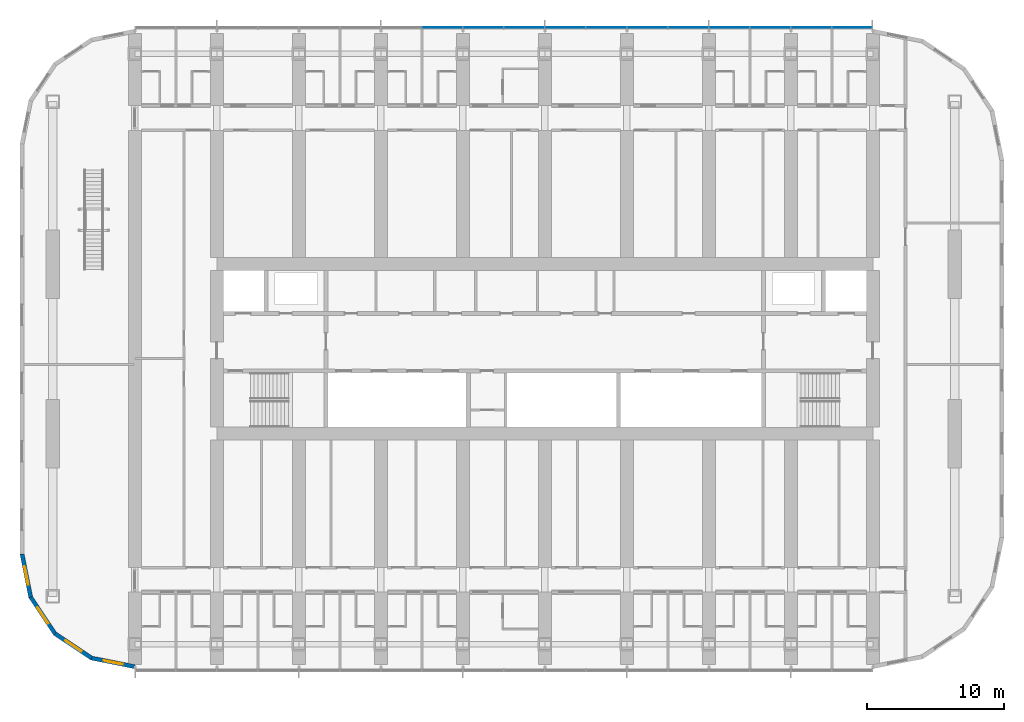
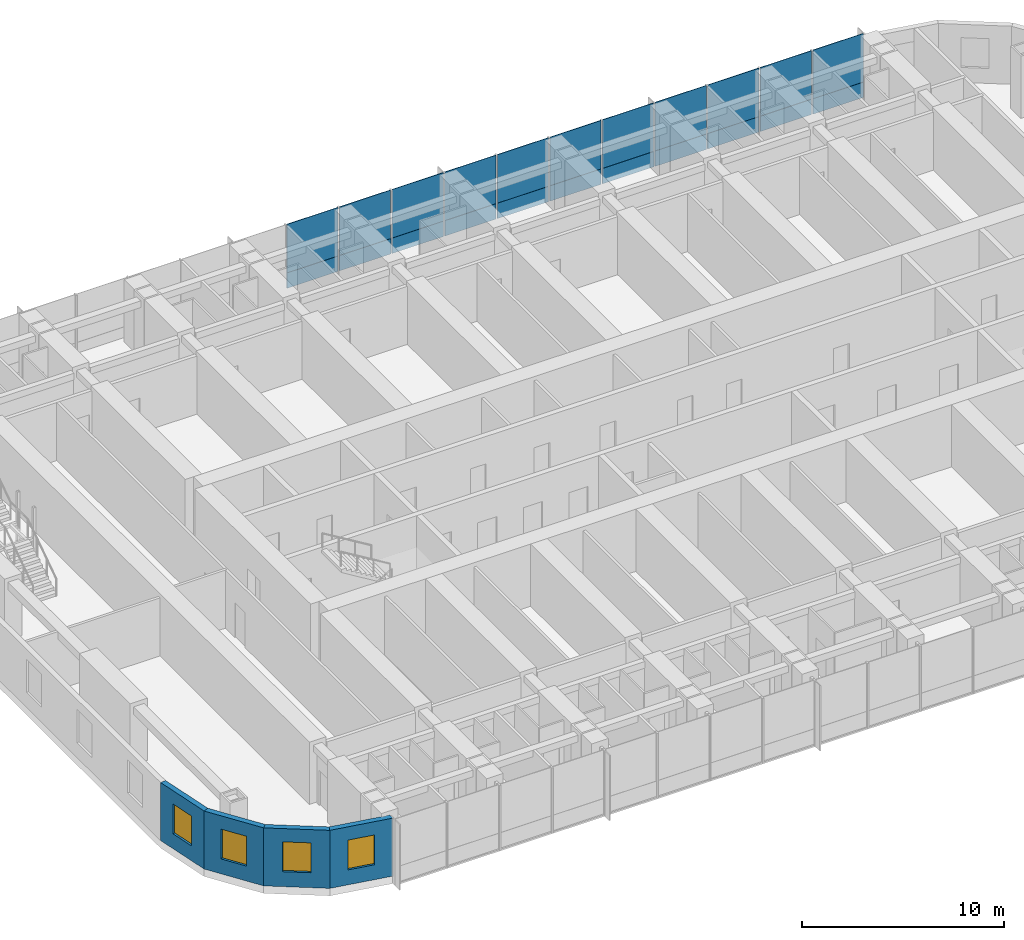
# One storey, part 9 of 25: 22 plates, 4 walls, 4 windows, 4 openings, 1 element without a shape of its own.
"""IFC4 building model written with IfcOpenShell, lengths in metres."""

from ifc_helpers import new_model, si_unit, direction, frame, frame_2d, origin, origin_2d, place, context, subcontext, project, spatial, polyline, rectangle, outline, extrude, material, layer, layer_set, type_object, element, fill, aggregate, save


model = new_model("IFC4")

# Units and contexts
model_context = context("Model", 3, precision=1e-05, world=origin(), true_north=direction((0.0, 1.0)))
body_context = subcontext(model_context, "Body", "Model", "MODEL_VIEW")
ifc_project = project(units=[si_unit("LENGTHUNIT", "METRE"), si_unit("AREAUNIT", "SQUARE_METRE"), si_unit("VOLUMEUNIT", "CUBIC_METRE"), si_unit("PLANEANGLEUNIT", "RADIAN"), si_unit("MASSUNIT", "GRAM", prefix="KILO")], contexts=[model_context])

# Site, building, storey
site_placement = place(None, origin())
site = spatial("IfcSite", under=ifc_project, at=site_placement, CompositionType="ELEMENT")
building_placement = place(site_placement, origin())
building = spatial("IfcBuilding", under=site, at=building_placement, Name="Orbita Commons", CompositionType="ELEMENT")
storey_placement = place(building_placement, frame((0.0, 0.0, 84.39990234375)))
storey = spatial("IfcBuildingStorey", under=building, at=storey_placement, Name="L20", CompositionType="ELEMENT", Elevation=84.39990234375)

# Curtain wall, plates
ifc_material_1 = material(Name="Anodised aluminium frame, pale silver", Category="aluminium")
curtain_wall_type = type_object("IfcCurtainWallType", Name="Unitised curtain wall CW-T, vision and spandrel", PredefinedType="NOTDEFINED", material=ifc_material_1)
curtain_wall_placement = place(storey_placement, origin())
curtain_wall = element("IfcCurtainWall", 1, at=curtain_wall_placement, inside=storey, type_object=curtain_wall_type, Name="Curtain wall north L20", PredefinedType="NOTDEFINED")
ifc_material_2 = material(Name="Anodised aluminium sheet on mineral wool", Category="aluminium")
ifc_layer_1 = layer(ifc_material_2, 0.050048828125)
ifc_layer_set_1 = layer_set([ifc_layer_1], Name="Anodised aluminium sheet on mineral wool")
plate_type_1 = type_object("IfcPlateType", Name="Spandrel panel, pale aluminium over insulation 50", PredefinedType="CURTAIN_PANEL", material=ifc_layer_set_1)
plate_1_placement = place(storey_placement, frame((64.47998046875, 55.510009765625, -0.35009765625), z_axis=(0.0, 0.0, 1.0), x_axis=(-1.0, 0.0, 0.0)))
plate_1 = element("IfcPlate", 2, at=plate_1_placement, type_object=plate_type_1, Name="Panel 1.1 CW-L20-N", PredefinedType="CURTAIN_PANEL", context=body_context, shape_type="SweptSolid", body=[
    extrude(rectangle(XDim=2.8798828125, YDim=0.050048828125, at=origin_2d()), origin(), (0.0, 0.0, 1.0), 0.927001953125),
])
plate_2_placement = place(storey_placement, frame((61.5, 55.510009765625, -0.35009765625), z_axis=(0.0, 0.0, 1.0), x_axis=(-1.0, 0.0, 0.0)))
plate_2 = element("IfcPlate", 3, at=plate_2_placement, type_object=plate_type_1, Name="Panel 2.1 CW-L20-N", PredefinedType="CURTAIN_PANEL", context=body_context, shape_type="SweptSolid", body=[
    extrude(rectangle(XDim=2.919921875, YDim=0.050048828125, at=origin_2d()), origin(), (0.0, 0.0, 1.0), 0.927001953125),
])
plate_3_placement = place(storey_placement, frame((58.5, 55.510009765625, -0.35009765625), z_axis=(0.0, 0.0, 1.0), x_axis=(-1.0, 0.0, 0.0)))
plate_3 = element("IfcPlate", 4, at=plate_3_placement, type_object=plate_type_1, Name="Panel 3.1 CW-L20-N", PredefinedType="CURTAIN_PANEL", context=body_context, shape_type="SweptSolid", body=[
    extrude(rectangle(XDim=2.919921875, YDim=0.050048828125, at=origin_2d()), origin(), (0.0, 0.0, 1.0), 0.927001953125),
])
plate_4_placement = place(storey_placement, frame((55.5, 55.510009765625, -0.35009765625), z_axis=(0.0, 0.0, 1.0), x_axis=(-1.0, 0.0, 0.0)))
plate_4 = element("IfcPlate", 5, at=plate_4_placement, type_object=plate_type_1, Name="Panel 4.1 CW-L20-N", PredefinedType="CURTAIN_PANEL", context=body_context, shape_type="SweptSolid", body=[
    extrude(rectangle(XDim=2.919921875, YDim=0.050048828125, at=origin_2d()), origin(), (0.0, 0.0, 1.0), 0.927001953125),
])
plate_5_placement = place(storey_placement, frame((52.5, 55.510009765625, -0.35009765625), z_axis=(0.0, 0.0, 1.0), x_axis=(-1.0, 0.0, 0.0)))
plate_5 = element("IfcPlate", 6, at=plate_5_placement, type_object=plate_type_1, Name="Panel 5.1 CW-L20-N", PredefinedType="CURTAIN_PANEL", context=body_context, shape_type="SweptSolid", body=[
    extrude(rectangle(XDim=2.919921875, YDim=0.050048828125, at=origin_2d()), origin(), (0.0, 0.0, 1.0), 0.927001953125),
])
plate_6_placement = place(storey_placement, frame((49.5, 55.510009765625, -0.35009765625), z_axis=(0.0, 0.0, 1.0), x_axis=(-1.0, 0.0, 0.0)))
plate_6 = element("IfcPlate", 7, at=plate_6_placement, type_object=plate_type_1, Name="Panel 6.1 CW-L20-N", PredefinedType="CURTAIN_PANEL", context=body_context, shape_type="SweptSolid", body=[
    extrude(rectangle(XDim=2.919921875, YDim=0.050048828125, at=origin_2d()), origin(), (0.0, 0.0, 1.0), 0.927001953125),
])
plate_7_placement = place(storey_placement, frame((46.5, 55.510009765625, -0.35009765625), z_axis=(0.0, 0.0, 1.0), x_axis=(-1.0, 0.0, 0.0)))
plate_7 = element("IfcPlate", 8, at=plate_7_placement, type_object=plate_type_1, Name="Panel 7.1 CW-L20-N", PredefinedType="CURTAIN_PANEL", context=body_context, shape_type="SweptSolid", body=[
    extrude(rectangle(XDim=2.919921875, YDim=0.050048828125, at=origin_2d()), origin(), (0.0, 0.0, 1.0), 0.927001953125),
])
plate_8_placement = place(storey_placement, frame((43.5, 55.510009765625, -0.35009765625), z_axis=(0.0, 0.0, 1.0), x_axis=(-1.0, 0.0, 0.0)))
plate_8 = element("IfcPlate", 9, at=plate_8_placement, type_object=plate_type_1, Name="Panel 8.1 CW-L20-N", PredefinedType="CURTAIN_PANEL", context=body_context, shape_type="SweptSolid", body=[
    extrude(rectangle(XDim=2.919921875, YDim=0.050048828125, at=origin_2d()), origin(), (0.0, 0.0, 1.0), 0.927001953125),
])
plate_9_placement = place(storey_placement, frame((40.5, 55.510009765625, -0.35009765625), z_axis=(0.0, 0.0, 1.0), x_axis=(-1.0, 0.0, 0.0)))
plate_9 = element("IfcPlate", 10, at=plate_9_placement, type_object=plate_type_1, Name="Panel 9.1 CW-L20-N", PredefinedType="CURTAIN_PANEL", context=body_context, shape_type="SweptSolid", body=[
    extrude(rectangle(XDim=2.919921875, YDim=0.050048828125, at=origin_2d()), origin(), (0.0, 0.0, 1.0), 0.927001953125),
])
plate_10_placement = place(storey_placement, frame((37.5, 55.510009765625, -0.35009765625), z_axis=(0.0, 0.0, 1.0), x_axis=(-1.0, 0.0, 0.0)))
plate_10 = element("IfcPlate", 11, at=plate_10_placement, type_object=plate_type_1, Name="Panel 10.1 CW-L20-N", PredefinedType="CURTAIN_PANEL", context=body_context, shape_type="SweptSolid", body=[
    extrude(rectangle(XDim=2.919921875, YDim=0.050048828125, at=origin_2d()), origin(), (0.0, 0.0, 1.0), 0.927001953125),
])
plate_11_placement = place(storey_placement, frame((34.5, 55.510009765625, -0.35009765625), z_axis=(0.0, 0.0, 1.0), x_axis=(-1.0, 0.0, 0.0)))
plate_11 = element("IfcPlate", 12, at=plate_11_placement, type_object=plate_type_1, Name="Panel 11.1 CW-L20-N", PredefinedType="CURTAIN_PANEL", context=body_context, shape_type="SweptSolid", body=[
    extrude(rectangle(XDim=2.919921875, YDim=0.050048828125, at=origin_2d()), origin(), (0.0, 0.0, 1.0), 0.927001953125),
])
ifc_material_3 = material(Name="Clear double glazing", Category="glass")
ifc_layer_2 = layer(ifc_material_3, 0.031982421875)
ifc_layer_set_2 = layer_set([ifc_layer_2], Name="Clear double glazing")
plate_type_2 = type_object("IfcPlateType", Name="Vision panel, clear double glazing 32", PredefinedType="CURTAIN_PANEL", material=ifc_layer_set_2)
plate_12_placement = place(storey_placement, frame((64.47998046875, 55.510009765625, 0.5771484375), z_axis=(0.0, 0.0, 1.0), x_axis=(-1.0, 0.0, 0.0)))
plate_12 = element("IfcPlate", 13, at=plate_12_placement, type_object=plate_type_2, Name="Panel 1.2 CW-L20-N", PredefinedType="CURTAIN_PANEL", context=body_context, shape_type="SweptSolid", body=[
    extrude(rectangle(XDim=2.8798828125, YDim=0.031982421875, at=origin_2d()), origin(), (0.0, 0.0, 1.0), 2.923095703125),
])
plate_13_placement = place(storey_placement, frame((61.5, 55.510009765625, 0.5771484375), z_axis=(0.0, 0.0, 1.0), x_axis=(-1.0, 0.0, 0.0)))
plate_13 = element("IfcPlate", 14, at=plate_13_placement, type_object=plate_type_2, Name="Panel 2.2 CW-L20-N", PredefinedType="CURTAIN_PANEL", context=body_context, shape_type="SweptSolid", body=[
    extrude(rectangle(XDim=2.919921875, YDim=0.031982421875, at=origin_2d()), origin(), (0.0, 0.0, 1.0), 2.923095703125),
])
plate_14_placement = place(storey_placement, frame((58.5, 55.510009765625, 0.5771484375), z_axis=(0.0, 0.0, 1.0), x_axis=(-1.0, 0.0, 0.0)))
plate_14 = element("IfcPlate", 15, at=plate_14_placement, type_object=plate_type_2, Name="Panel 3.2 CW-L20-N", PredefinedType="CURTAIN_PANEL", context=body_context, shape_type="SweptSolid", body=[
    extrude(rectangle(XDim=2.919921875, YDim=0.031982421875, at=origin_2d()), origin(), (0.0, 0.0, 1.0), 2.923095703125),
])
plate_15_placement = place(storey_placement, frame((55.5, 55.510009765625, 0.5771484375), z_axis=(0.0, 0.0, 1.0), x_axis=(-1.0, 0.0, 0.0)))
plate_15 = element("IfcPlate", 16, at=plate_15_placement, type_object=plate_type_2, Name="Panel 4.2 CW-L20-N", PredefinedType="CURTAIN_PANEL", context=body_context, shape_type="SweptSolid", body=[
    extrude(rectangle(XDim=2.919921875, YDim=0.031982421875, at=origin_2d()), origin(), (0.0, 0.0, 1.0), 2.923095703125),
])
plate_16_placement = place(storey_placement, frame((52.5, 55.510009765625, 0.5771484375), z_axis=(0.0, 0.0, 1.0), x_axis=(-1.0, 0.0, 0.0)))
plate_16 = element("IfcPlate", 17, at=plate_16_placement, type_object=plate_type_2, Name="Panel 5.2 CW-L20-N", PredefinedType="CURTAIN_PANEL", context=body_context, shape_type="SweptSolid", body=[
    extrude(rectangle(XDim=2.919921875, YDim=0.031982421875, at=origin_2d()), origin(), (0.0, 0.0, 1.0), 2.923095703125),
])
plate_17_placement = place(storey_placement, frame((49.5, 55.510009765625, 0.5771484375), z_axis=(0.0, 0.0, 1.0), x_axis=(-1.0, 0.0, 0.0)))
plate_17 = element("IfcPlate", 18, at=plate_17_placement, type_object=plate_type_2, Name="Panel 6.2 CW-L20-N", PredefinedType="CURTAIN_PANEL", context=body_context, shape_type="SweptSolid", body=[
    extrude(rectangle(XDim=2.919921875, YDim=0.031982421875, at=origin_2d()), origin(), (0.0, 0.0, 1.0), 2.923095703125),
])
plate_18_placement = place(storey_placement, frame((46.5, 55.510009765625, 0.5771484375), z_axis=(0.0, 0.0, 1.0), x_axis=(-1.0, 0.0, 0.0)))
plate_18 = element("IfcPlate", 19, at=plate_18_placement, type_object=plate_type_2, Name="Panel 7.2 CW-L20-N", PredefinedType="CURTAIN_PANEL", context=body_context, shape_type="SweptSolid", body=[
    extrude(rectangle(XDim=2.919921875, YDim=0.031982421875, at=origin_2d()), origin(), (0.0, 0.0, 1.0), 2.923095703125),
])
plate_19_placement = place(storey_placement, frame((43.5, 55.510009765625, 0.5771484375), z_axis=(0.0, 0.0, 1.0), x_axis=(-1.0, 0.0, 0.0)))
plate_19 = element("IfcPlate", 20, at=plate_19_placement, type_object=plate_type_2, Name="Panel 8.2 CW-L20-N", PredefinedType="CURTAIN_PANEL", context=body_context, shape_type="SweptSolid", body=[
    extrude(rectangle(XDim=2.919921875, YDim=0.031982421875, at=origin_2d()), origin(), (0.0, 0.0, 1.0), 2.923095703125),
])
plate_20_placement = place(storey_placement, frame((40.5, 55.510009765625, 0.5771484375), z_axis=(0.0, 0.0, 1.0), x_axis=(-1.0, 0.0, 0.0)))
plate_20 = element("IfcPlate", 21, at=plate_20_placement, type_object=plate_type_2, Name="Panel 9.2 CW-L20-N", PredefinedType="CURTAIN_PANEL", context=body_context, shape_type="SweptSolid", body=[
    extrude(rectangle(XDim=2.919921875, YDim=0.031982421875, at=origin_2d()), origin(), (0.0, 0.0, 1.0), 2.923095703125),
])
plate_21_placement = place(storey_placement, frame((37.5, 55.510009765625, 0.5771484375), z_axis=(0.0, 0.0, 1.0), x_axis=(-1.0, 0.0, 0.0)))
plate_21 = element("IfcPlate", 22, at=plate_21_placement, type_object=plate_type_2, Name="Panel 10.2 CW-L20-N", PredefinedType="CURTAIN_PANEL", context=body_context, shape_type="SweptSolid", body=[
    extrude(rectangle(XDim=2.919921875, YDim=0.031982421875, at=origin_2d()), origin(), (0.0, 0.0, 1.0), 2.923095703125),
])
plate_22_placement = place(storey_placement, frame((34.5, 55.510009765625, 0.5771484375), z_axis=(0.0, 0.0, 1.0), x_axis=(-1.0, 0.0, 0.0)))
plate_22 = element("IfcPlate", 23, at=plate_22_placement, type_object=plate_type_2, Name="Panel 11.2 CW-L20-N", PredefinedType="CURTAIN_PANEL", context=body_context, shape_type="SweptSolid", body=[
    extrude(rectangle(XDim=2.919921875, YDim=0.031982421875, at=origin_2d()), origin(), (0.0, 0.0, 1.0), 2.923095703125),
])
aggregate(curtain_wall, [plate_1, plate_12, plate_2, plate_13, plate_3, plate_14, plate_4, plate_15, plate_5, plate_16, plate_6, plate_17, plate_7, plate_18, plate_8, plate_19, plate_9, plate_20, plate_10, plate_21, plate_11, plate_22])

# Wall, opening, window
ifc_material_4 = material(Name="Precast concrete C40/50, white board-marked finish", Category="concrete")
ifc_layer_3 = layer(ifc_material_4, 0.300048828125)
ifc_layer_set_3 = layer_set([ifc_layer_3], Name="Precast concrete C40/50, white board-marked finish")
wall_type = type_object("IfcWallType", Name="Precast concrete end shield 300", PredefinedType="SOLIDWALL", material=ifc_layer_set_3)
wall_1_placement = place(storey_placement, frame((3.75, 17.0, 0.0), z_axis=(0.0, 0.0, 1.0), x_axis=(0.195080412259, -0.980787251524, 0.0)))
wall_1 = element("IfcWall", 24, at=wall_1_placement, inside=storey, type_object=wall_type, Name="End shield SW chord 1 L20", PredefinedType="SOLIDWALL", context=body_context, shape_type="SweptSolid", body=[
    extrude(outline(polyline([(-0.014892578125, -0.14990234375), (3.24853515625, -0.14990234375), (3.18896484375, 0.14990234375), (0.014892578125, 0.14990234375), (-0.014892578125, -0.14990234375)])), origin(), (0.0, 0.0, 1.0), 3.5),
])
opening_1_placement = place(wall_1_placement, frame((0.909423828125, 0.0, 0.89990234375)))
opening_1 = element("IfcOpeningElement", 25, at=opening_1_placement, cuts=wall_1, Name="Opening W02", PredefinedType="OPENING", context=body_context, shape_type="SweptSolid", body=[
    extrude(rectangle(XDim=1.39990234375, YDim=1.800048828125, at=frame_2d((0.699951171875, 0.89990234375))), frame((0.0, 0.159912109375, 0.0), z_axis=(0.0, -1.0, 0.0), x_axis=(1.0, 0.0, 0.0)), (0.0, 0.0, 1.0), 0.320068359375),
])
ifc_material_5 = material(Name="Aluminium frame, clear double glazing", Category="aluminium")
window_type = type_object("IfcWindowType", Name="Deep-set window 1400x1800", PartitioningType="SINGLE_PANEL", PredefinedType="WINDOW", material=ifc_material_5)
window_1_placement = place(opening_1_placement, origin())
window_1 = element("IfcWindow", 26, at=window_1_placement, inside=storey, type_object=window_type, Name="Window L20-SW0", OverallHeight=1.800048828125, OverallWidth=1.39990234375, PartitioningType="SINGLE_PANEL", PredefinedType="WINDOW", context=body_context, shape_type="SweptSolid", body=[
    extrude(rectangle(XDim=1.39990234375, YDim=1.800048828125, at=frame_2d((0.699951171875, 0.89990234375))), frame((0.0, 0.030029296875, 0.0), z_axis=(0.0, -1.0, 0.0), x_axis=(1.0, 0.0, 0.0)), (0.0, 0.0, 1.0), 0.06005859375),
])
fill(opening_1, window_1)

wall_2_placement = place(storey_placement, frame((4.3779296875, 13.843017578125, 0.0), z_axis=(0.0, 0.0, 1.0), x_axis=(0.555609954424, -0.831443069936, 0.0)))
wall_2 = element("IfcWall", 27, at=wall_2_placement, inside=storey, type_object=wall_type, Name="End shield SW chord 2 L20", PredefinedType="SOLIDWALL", context=body_context, shape_type="SweptSolid", body=[
    extrude(outline(polyline([(-0.02978515625, -0.14990234375), (3.2490234375, -0.14990234375), (3.189453125, 0.14990234375), (0.02978515625, 0.14990234375), (-0.02978515625, -0.14990234375)])), origin(), (0.0, 0.0, 1.0), 3.5),
])
opening_2_placement = place(wall_2_placement, frame((0.909423828125, 0.0, 0.89990234375)))
opening_2 = element("IfcOpeningElement", 28, at=opening_2_placement, cuts=wall_2, Name="Opening W02", PredefinedType="OPENING", context=body_context, shape_type="SweptSolid", body=[
    extrude(rectangle(XDim=1.39990234375, YDim=1.800048828125, at=frame_2d((0.699951171875, 0.89990234375))), frame((0.0, 0.159912109375, 0.0), z_axis=(0.0, -1.0, 0.0), x_axis=(1.0, 0.0, 0.0)), (0.0, 0.0, 1.0), 0.320068359375),
])
window_2_placement = place(opening_2_placement, origin())
window_2 = element("IfcWindow", 29, at=window_2_placement, inside=storey, type_object=window_type, Name="Window L20-SW1", OverallHeight=1.800048828125, OverallWidth=1.39990234375, PartitioningType="SINGLE_PANEL", PredefinedType="WINDOW", context=body_context, shape_type="SweptSolid", body=[
    extrude(rectangle(XDim=1.39990234375, YDim=1.800048828125, at=frame_2d((0.699951171875, 0.89990234375))), frame((0.0, 0.030029296875, 0.0), z_axis=(0.0, -1.0, 0.0), x_axis=(1.0, 0.0, 0.0)), (0.0, 0.0, 1.0), 0.06005859375),
])
fill(opening_2, window_2)

wall_3_placement = place(storey_placement, frame((6.16650390625, 11.16650390625, 0.0), z_axis=(0.0, 0.0, 1.0), x_axis=(0.831443069936, -0.555609954424, 0.0)))
wall_3 = element("IfcWall", 30, at=wall_3_placement, inside=storey, type_object=wall_type, Name="End shield SW chord 3 L20", PredefinedType="SOLIDWALL", context=body_context, shape_type="SweptSolid", body=[
    extrude(outline(polyline([(-0.02978515625, -0.14990234375), (3.2490234375, -0.14990234375), (3.189453125, 0.14990234375), (0.02978515625, 0.14990234375), (-0.02978515625, -0.14990234375)])), origin(), (0.0, 0.0, 1.0), 3.5),
])
opening_3_placement = place(wall_3_placement, frame((0.909423828125, 0.0, 0.89990234375)))
opening_3 = element("IfcOpeningElement", 31, at=opening_3_placement, cuts=wall_3, Name="Opening W02", PredefinedType="OPENING", context=body_context, shape_type="SweptSolid", body=[
    extrude(rectangle(XDim=1.39990234375, YDim=1.800048828125, at=frame_2d((0.699951171875, 0.89990234375))), frame((0.0, 0.159912109375, 0.0), z_axis=(0.0, -1.0, 0.0), x_axis=(1.0, 0.0, 0.0)), (0.0, 0.0, 1.0), 0.320068359375),
])
window_3_placement = place(opening_3_placement, origin())
window_3 = element("IfcWindow", 32, at=window_3_placement, inside=storey, type_object=window_type, Name="Window L20-SW2", OverallHeight=1.800048828125, OverallWidth=1.39990234375, PartitioningType="SINGLE_PANEL", PredefinedType="WINDOW", context=body_context, shape_type="SweptSolid", body=[
    extrude(rectangle(XDim=1.39990234375, YDim=1.800048828125, at=frame_2d((0.699951171875, 0.89990234375))), frame((0.0, 0.030029296875, 0.0), z_axis=(0.0, -1.0, 0.0), x_axis=(1.0, 0.0, 0.0)), (0.0, 0.0, 1.0), 0.06005859375),
])
fill(opening_3, window_3)

wall_4_placement = place(storey_placement, frame((8.843017578125, 9.3779296875, 0.0), z_axis=(0.0, 0.0, 1.0), x_axis=(0.980787251524, -0.195080412259, 0.0)))
wall_4 = element("IfcWall", 33, at=wall_4_placement, inside=storey, type_object=wall_type, Name="End shield SW chord 4 L20", PredefinedType="SOLIDWALL", context=body_context, shape_type="SweptSolid", body=[
    extrude(outline(polyline([(-0.02978515625, -0.14990234375), (3.24853515625, -0.14990234375), (3.18896484375, 0.14990234375), (0.02978515625, 0.14990234375), (-0.02978515625, -0.14990234375)])), origin(), (0.0, 0.0, 1.0), 3.5),
])
opening_4_placement = place(wall_4_placement, frame((0.909423828125, 0.0, 0.89990234375)))
opening_4 = element("IfcOpeningElement", 34, at=opening_4_placement, cuts=wall_4, Name="Opening W02", PredefinedType="OPENING", context=body_context, shape_type="SweptSolid", body=[
    extrude(rectangle(XDim=1.39990234375, YDim=1.800048828125, at=frame_2d((0.699951171875, 0.89990234375))), frame((0.0, 0.159912109375, 0.0), z_axis=(0.0, -1.0, 0.0), x_axis=(1.0, 0.0, 0.0)), (0.0, 0.0, 1.0), 0.320068359375),
])
window_4_placement = place(opening_4_placement, origin())
window_4 = element("IfcWindow", 35, at=window_4_placement, inside=storey, type_object=window_type, Name="Window L20-SW3", OverallHeight=1.800048828125, OverallWidth=1.39990234375, PartitioningType="SINGLE_PANEL", PredefinedType="WINDOW", context=body_context, shape_type="SweptSolid", body=[
    extrude(rectangle(XDim=1.39990234375, YDim=1.800048828125, at=frame_2d((0.699951171875, 0.89990234375))), frame((0.0, 0.030029296875, 0.0), z_axis=(0.0, -1.0, 0.0), x_axis=(1.0, 0.0, 0.0)), (0.0, 0.0, 1.0), 0.06005859375),
])
fill(opening_4, window_4)

save(model, "model.ifc")
